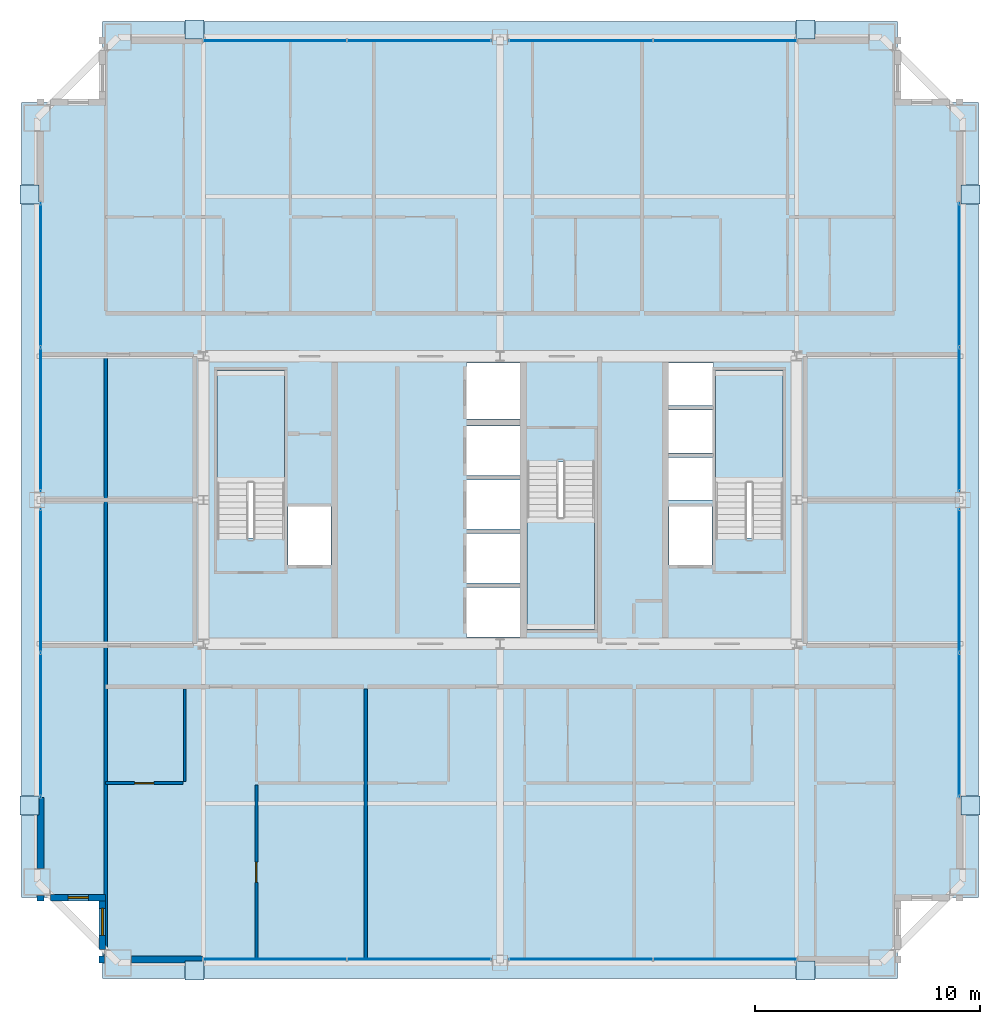
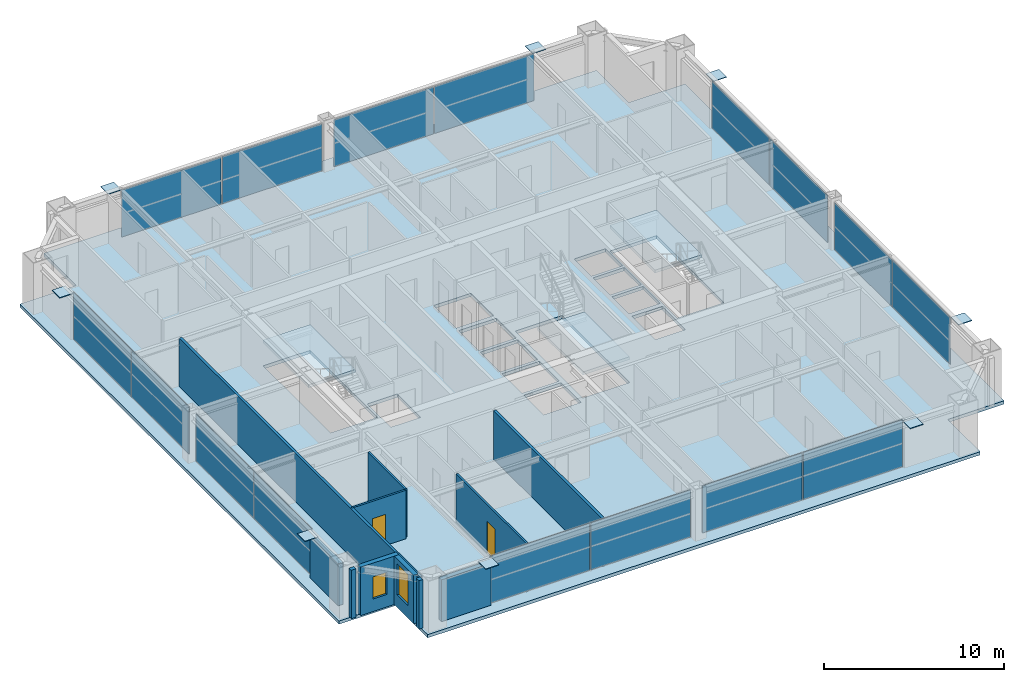
# One storey, part 31 of 37: 24 plates, 11 walls, 4 slabs, 2 doors, 2 windows, 4 openings, 11 elements without a shape of their own.
"""IFC4 building model written with IfcOpenShell, lengths in metres."""

from ifc_helpers import new_model, si_unit, direction, frame, frame_2d, origin, origin_2d, place, context, subcontext, project, spatial, polyline, rectangle, outline, extrude, source, transform, mapped, material, layer, layer_set, type_object, element, fill, aggregate, save


model = new_model("IFC4")

# Units and contexts
model_context = context("Model", 3, precision=1e-05, world=origin(), true_north=direction((0.0, 1.0)))
body_context = subcontext(model_context, "Body", "Model", "MODEL_VIEW")
ifc_project = project(units=[si_unit("LENGTHUNIT", "METRE"), si_unit("AREAUNIT", "SQUARE_METRE"), si_unit("VOLUMEUNIT", "CUBIC_METRE"), si_unit("PLANEANGLEUNIT", "RADIAN"), si_unit("MASSUNIT", "GRAM", prefix="KILO"), si_unit("THERMODYNAMICTEMPERATUREUNIT", "KELVIN"), si_unit("POWERUNIT", "WATT")], contexts=[model_context])

# Site, building, storey
site_placement = place(None, origin())
site = spatial("IfcSite", under=ifc_project, at=site_placement, CompositionType="ELEMENT")
building_placement = place(site_placement, origin())
building = spatial("IfcBuilding", under=site, at=building_placement, Name="Yuzanri Waterfront Tower", CompositionType="ELEMENT")
storey_placement = place(building_placement, frame((0.0, 0.0, 252.10009765625)))
storey = spatial("IfcBuildingStorey", under=building, at=storey_placement, Name="L67", CompositionType="ELEMENT", Elevation=252.10009765625)

# Stair, slab
ifc_material_1 = material(Name="Concrete C40", Category="concrete")
stair_type = type_object("IfcStairType", Name="Concrete C40 Core Dogleg Exit Stair", PredefinedType="HALF_TURN_STAIR", material=ifc_material_1)
stair_1_placement = place(storey_placement, origin())
stair_1 = element("IfcStair", 1, at=stair_1_placement, inside=storey, type_object=stair_type, Name="L67 Smoke-Proof Core Stair ST-01", PredefinedType="HALF_TURN_STAIR")
ifc_material_2 = material(Name="Concrete C40", Category="concrete")
ifc_layer_1 = layer(ifc_material_2, 0.179931640625)
ifc_layer_set_1 = layer_set([ifc_layer_1], Name="Concrete C40")
slab_type_1 = type_object("IfcSlabType", Name="Concrete C40 Stair Half-Landing Slab 180", PredefinedType="LANDING", material=ifc_layer_set_1)
slab_1_placement = place(storey_placement, frame((0.0, 0.0, 1.5498046875)))
slab_1 = element("IfcSlab", 2, at=slab_1_placement, type_object=slab_type_1, Name="ST-01 landing 1", PredefinedType="LANDING", context=body_context, shape_type="SweptSolid", body=[
    extrude(outline(polyline([(27.39990234375, 26.56005859375), (27.39990234375, 31.580078125), (24.39990234375, 31.580078125), (24.39990234375, 26.56005859375), (27.39990234375, 26.56005859375)])), origin(), (0.0, 0.0, 1.0), 0.2001953125),
])
aggregate(stair_1, [slab_1])

stair_2_placement = place(storey_placement, origin())
stair_2 = element("IfcStair", 3, at=stair_2_placement, inside=storey, type_object=stair_type, Name="L67 Smoke-Proof Core Stair ST-02", PredefinedType="HALF_TURN_STAIR")
slab_2_placement = place(storey_placement, frame((0.0, 0.0, 1.5498046875)))
slab_2 = element("IfcSlab", 4, at=slab_2_placement, type_object=slab_type_1, Name="ST-02 landing 1", PredefinedType="LANDING", context=body_context, shape_type="SweptSolid", body=[
    extrude(outline(polyline([(49.60009765625, 26.56005859375), (49.60009765625, 31.580078125), (46.60009765625, 31.580078125), (46.60009765625, 26.56005859375), (49.60009765625, 26.56005859375)])), origin(), (0.0, 0.0, 1.0), 0.2001953125),
])
aggregate(stair_2, [slab_2])

stair_3_placement = place(storey_placement, origin())
stair_3 = element("IfcStair", 5, at=stair_3_placement, inside=storey, type_object=stair_type, Name="L67 Smoke-Proof Core Stair ST-03", PredefinedType="HALF_TURN_STAIR")
slab_3_placement = place(storey_placement, frame((0.0, 0.0, 1.5498046875)))
slab_3 = element("IfcSlab", 6, at=slab_3_placement, type_object=slab_type_1, Name="ST-03 landing 1", PredefinedType="LANDING", context=body_context, shape_type="SweptSolid", body=[
    extrude(outline(polyline([(38.199951171875, 25.0400390625), (38.199951171875, 20.02001953125), (41.199951171875, 20.02001953125), (41.199951171875, 25.0400390625), (38.199951171875, 25.0400390625)])), origin(), (0.0, 0.0, 1.0), 0.2001953125),
])
aggregate(stair_3, [slab_3])

# Slab
ifc_material_3 = material(Name="Concrete C40", Category="concrete")
ifc_layer_2 = layer(ifc_material_3, 0.219970703125)
ifc_layer_set_2 = layer_set([ifc_layer_2], Name="Concrete C40")
slab_type_2 = type_object("IfcSlabType", Name="Concrete C40 Tower Typical Structural Floor Slab 220", PredefinedType="FLOOR", material=ifc_layer_set_2)
slab_4_placement = place(storey_placement, frame((0.0, 0.0, -0.22021484375)))
element("IfcSlab", 7, at=slab_4_placement, inside=storey, type_object=slab_type_2, Name="L67 Main Structural Floor Slab", PredefinedType="FLOOR", context=body_context, shape_type="SweptSolid", body=[
    extrude(outline(polyline([(19.300048828125, 4.5), (54.699951171875, 4.5), (54.699951171875, 8.10009765625), (58.300048828125, 8.10009765625), (58.300048828125, 43.5), (54.699951171875, 43.5), (54.699951171875, 47.10009765625), (19.300048828125, 47.10009765625), (19.300048828125, 43.5), (15.699951171875, 43.5), (15.699951171875, 8.10009765625), (19.300048828125, 8.10009765625), (19.300048828125, 4.5)]), holes=[polyline([(27.39990234375, 24.10009765625), (27.39990234375, 31.580078125), (24.39990234375, 31.580078125), (24.39990234375, 24.10009765625), (27.39990234375, 24.10009765625)]), polyline([(49.60009765625, 24.10009765625), (49.60009765625, 31.580078125), (46.60009765625, 31.580078125), (46.60009765625, 24.10009765625), (49.60009765625, 24.10009765625)]), polyline([(38.199951171875, 27.5), (38.199951171875, 20.02001953125), (41.199951171875, 20.02001953125), (41.199951171875, 27.5), (38.199951171875, 27.5)]), polyline([(27.56005859375, 22.89990234375), (29.47998046875, 22.89990234375), (29.47998046875, 25.5), (27.56005859375, 25.5), (27.56005859375, 22.89990234375)]), polyline([(44.52001953125, 22.89990234375), (46.43994140625, 22.89990234375), (46.43994140625, 25.5), (44.52001953125, 25.5), (44.52001953125, 22.89990234375)]), polyline([(35.5, 19.699951171875), (37.89990234375, 19.699951171875), (37.89990234375, 21.89990234375), (35.5, 21.89990234375), (35.5, 19.699951171875)]), polyline([(35.5, 22.10009765625), (37.89990234375, 22.10009765625), (37.89990234375, 24.300048828125), (35.5, 24.300048828125), (35.5, 22.10009765625)]), polyline([(35.5, 24.5), (37.89990234375, 24.5), (37.89990234375, 26.699951171875), (35.5, 26.699951171875), (35.5, 24.5)]), polyline([(35.5, 26.89990234375), (37.89990234375, 26.89990234375), (37.89990234375, 29.10009765625), (35.5, 29.10009765625), (35.5, 26.89990234375)]), polyline([(35.5, 29.39990234375), (37.89990234375, 29.39990234375), (37.89990234375, 31.89990234375), (35.5, 31.89990234375), (35.5, 29.39990234375)]), polyline([(44.5, 25.800048828125), (46.5, 25.800048828125), (46.5, 27.699951171875), (44.5, 27.699951171875), (44.5, 25.800048828125)]), polyline([(44.5, 27.89990234375), (46.5, 27.89990234375), (46.5, 29.800048828125), (44.5, 29.800048828125), (44.5, 27.89990234375)]), polyline([(44.5, 30.0), (46.5, 30.0), (46.5, 31.89990234375), (44.5, 31.89990234375), (44.5, 30.0)])]), origin(), (0.0, 0.0, 1.0), 0.22021484375),
])

# Plates
ifc_material_4 = material(Name="Steel Q420GJC", Category="steel")
ifc_layer_3 = layer(ifc_material_4, 0.0400390625)
ifc_layer_set_3 = layer_set([ifc_layer_3], Name="Steel Q420GJC")
plate_type_1 = type_object("IfcPlateType", Name="Steel Q420GJC Mega-Brace Gusset and End-Cap Plate 40", PredefinedType="SHEET", material=ifc_layer_set_3)
shared_shape_1 = source(origin(), body_context, "Body", "SweptSolid", [
    extrude(rectangle(XDim=0.85009765625, YDim=0.85009765625, at=origin_2d()), origin(), (0.0, 0.0, 1.0), 0.0400390625),
])
for number, where, z_axis, x_axis, name in (
    (8, (23.39990234375, 4.860107421875, 3.159912109375), (0.0, 0.0, 1.0), (1.0, 0.0, 0.0), "L67 Mega-Brace Apex Cap Plate S-L"),
    (9, (50.60009765625, 4.860107421875, 3.159912109375), (0.0, 0.0, 1.0), (1.0, 0.0, 0.0), "L67 Mega-Brace Apex Cap Plate S-R"),
    (10, (23.39990234375, 46.739990234375, 3.159912109375), (0.0, 0.0, 1.0), (1.0, 0.0, 0.0), "L67 Mega-Brace Apex Cap Plate N-L"),
    (11, (50.60009765625, 46.739990234375, 3.159912109375), (0.0, 0.0, 1.0), (1.0, 0.0, 0.0), "L67 Mega-Brace Apex Cap Plate N-R"),
    (12, (16.06005859375, 12.199951171875, 3.159912109375), (0.0, 0.0, 1.0), (1.0, 0.0, 0.0), "L67 Mega-Brace Apex Cap Plate W-L"),
    (13, (16.06005859375, 39.39990234375, 3.159912109375), (0.0, 0.0, 1.0), (1.0, 0.0, 0.0), "L67 Mega-Brace Apex Cap Plate W-R"),
    (14, (57.93994140625, 12.199951171875, 3.159912109375), (0.0, 0.0, 1.0), (1.0, 0.0, 0.0), "L67 Mega-Brace Apex Cap Plate E-L"),
    (15, (57.93994140625, 39.39990234375, 3.159912109375), (0.0, 0.0, 1.0), (1.0, 0.0, 0.0), "L67 Mega-Brace Apex Cap Plate E-R"),
):
    element("IfcPlate", number, at=place(storey_placement, frame(where, z_axis=z_axis, x_axis=x_axis)), inside=storey, type_object=plate_type_1, Name=name, PredefinedType="SHEET", context=body_context, shape_type="MappedRepresentation", body=[
        mapped(shared_shape_1, transform((0.0, 0.0, 0.0), scale=1.0)),
    ])

# Curtain wall, plates
ifc_material_5 = material(Name="Anodized Architectural Bronze", Category="metal")
ifc_layer_4 = layer(ifc_material_5, 0.159912109375)
ifc_layer_set_4 = layer_set([ifc_layer_4], Name="Anodized Architectural Bronze")
curtain_wall_type = type_object("IfcCurtainWallType", Name="Anodized Bronze Mid-Rise Residential Acoustic Unitized Curtain Wall 7200", PredefinedType="NOTDEFINED", material=ifc_layer_set_4)
curtain_wall_1_placement = place(storey_placement, origin())
curtain_wall_1 = element("IfcCurtainWall", 16, at=curtain_wall_1_placement, inside=storey, type_object=curtain_wall_type, Name="L67 Curtain Wall CW-L67-SL", PredefinedType="NOTDEFINED")
ifc_material_6 = material(Name="Triple Low-E Laminated Insulated Glass", Category="glass")
ifc_layer_5 = layer(ifc_material_6, 0.0439453125)
ifc_layer_set_5 = layer_set([ifc_layer_5], Name="Triple Low-E Laminated Insulated Glass")
plate_type_2 = type_object("IfcPlateType", Name="Triple Glazed Acoustic Vision Glass Panel 44", PredefinedType="CURTAIN_PANEL", material=ifc_layer_set_5)
shared_shape_2 = source(origin(), body_context, "Body", "SweptSolid", [
    extrude(rectangle(XDim=6.3701171875, YDim=0.0439453125, at=origin_2d()), origin(), (0.0, 0.0, 1.0), 3.179931640625),
])
plate_1_placement = place(storey_placement, frame((26.97509765625, 5.35009765625, 0.0498046875), z_axis=(0.0, 0.0, 1.0), x_axis=(1.0, 0.0, 0.0)))
plate_1 = element("IfcPlate", 17, at=plate_1_placement, type_object=plate_type_2, Name="CW-L67-SL Vision Glass Panel 01", PredefinedType="CURTAIN_PANEL", context=body_context, shape_type="MappedRepresentation", body=[
    mapped(shared_shape_2, transform((0.0, 0.0, 0.0), scale=1.0)),
])
plate_2_placement = place(storey_placement, frame((33.425048828125, 5.35009765625, 0.0498046875), z_axis=(0.0, 0.0, 1.0), x_axis=(1.0, 0.0, 0.0)))
plate_2 = element("IfcPlate", 18, at=plate_2_placement, type_object=plate_type_2, Name="CW-L67-SL Vision Glass Panel 02", PredefinedType="CURTAIN_PANEL", context=body_context, shape_type="MappedRepresentation", body=[
    mapped(shared_shape_2, transform((0.0, 0.0, 0.0), scale=1.0)),
])
aggregate(curtain_wall_1, [plate_1, plate_2])

curtain_wall_2_placement = place(storey_placement, origin())
curtain_wall_2 = element("IfcCurtainWall", 19, at=curtain_wall_2_placement, inside=storey, type_object=curtain_wall_type, Name="L67 Curtain Wall CW-L67-SR", PredefinedType="NOTDEFINED")
plate_3_placement = place(storey_placement, frame((40.574951171875, 5.35009765625, 0.0498046875), z_axis=(0.0, 0.0, 1.0), x_axis=(1.0, 0.0, 0.0)))
plate_3 = element("IfcPlate", 20, at=plate_3_placement, type_object=plate_type_2, Name="CW-L67-SR Vision Glass Panel 01", PredefinedType="CURTAIN_PANEL", context=body_context, shape_type="MappedRepresentation", body=[
    mapped(shared_shape_2, transform((0.0, 0.0, 0.0), scale=1.0)),
])
plate_4_placement = place(storey_placement, frame((47.02490234375, 5.35009765625, 0.0498046875), z_axis=(0.0, 0.0, 1.0), x_axis=(1.0, 0.0, 0.0)))
plate_4 = element("IfcPlate", 21, at=plate_4_placement, type_object=plate_type_2, Name="CW-L67-SR Vision Glass Panel 02", PredefinedType="CURTAIN_PANEL", context=body_context, shape_type="MappedRepresentation", body=[
    mapped(shared_shape_2, transform((0.0, 0.0, 0.0), scale=1.0)),
])
aggregate(curtain_wall_2, [plate_3, plate_4])

curtain_wall_3_placement = place(storey_placement, origin())
curtain_wall_3 = element("IfcCurtainWall", 22, at=curtain_wall_3_placement, inside=storey, type_object=curtain_wall_type, Name="L67 Curtain Wall CW-L67-NL", PredefinedType="NOTDEFINED")
plate_5_placement = place(storey_placement, frame((26.97509765625, 46.25, 0.0498046875), z_axis=(0.0, 0.0, 1.0), x_axis=(1.0, 0.0, 0.0)))
plate_5 = element("IfcPlate", 23, at=plate_5_placement, type_object=plate_type_2, Name="CW-L67-NL Vision Glass Panel 01", PredefinedType="CURTAIN_PANEL", context=body_context, shape_type="MappedRepresentation", body=[
    mapped(shared_shape_2, transform((0.0, 0.0, 0.0), scale=1.0)),
])
plate_6_placement = place(storey_placement, frame((33.425048828125, 46.25, 0.0498046875), z_axis=(0.0, 0.0, 1.0), x_axis=(1.0, 0.0, 0.0)))
plate_6 = element("IfcPlate", 24, at=plate_6_placement, type_object=plate_type_2, Name="CW-L67-NL Vision Glass Panel 02", PredefinedType="CURTAIN_PANEL", context=body_context, shape_type="MappedRepresentation", body=[
    mapped(shared_shape_2, transform((0.0, 0.0, 0.0), scale=1.0)),
])
aggregate(curtain_wall_3, [plate_5, plate_6])

curtain_wall_4_placement = place(storey_placement, origin())
curtain_wall_4 = element("IfcCurtainWall", 25, at=curtain_wall_4_placement, inside=storey, type_object=curtain_wall_type, Name="L67 Curtain Wall CW-L67-NR", PredefinedType="NOTDEFINED")
plate_7_placement = place(storey_placement, frame((40.574951171875, 46.25, 0.0498046875), z_axis=(0.0, 0.0, 1.0), x_axis=(1.0, 0.0, 0.0)))
plate_7 = element("IfcPlate", 26, at=plate_7_placement, type_object=plate_type_2, Name="CW-L67-NR Vision Glass Panel 01", PredefinedType="CURTAIN_PANEL", context=body_context, shape_type="MappedRepresentation", body=[
    mapped(shared_shape_2, transform((0.0, 0.0, 0.0), scale=1.0)),
])
plate_8_placement = place(storey_placement, frame((47.02490234375, 46.25, 0.0498046875), z_axis=(0.0, 0.0, 1.0), x_axis=(1.0, 0.0, 0.0)))
plate_8 = element("IfcPlate", 27, at=plate_8_placement, type_object=plate_type_2, Name="CW-L67-NR Vision Glass Panel 02", PredefinedType="CURTAIN_PANEL", context=body_context, shape_type="MappedRepresentation", body=[
    mapped(shared_shape_2, transform((0.0, 0.0, 0.0), scale=1.0)),
])
aggregate(curtain_wall_4, [plate_7, plate_8])

curtain_wall_5_placement = place(storey_placement, origin())
curtain_wall_5 = element("IfcCurtainWall", 28, at=curtain_wall_5_placement, inside=storey, type_object=curtain_wall_type, Name="L67 Curtain Wall CW-L67-WL", PredefinedType="NOTDEFINED")
plate_9_placement = place(storey_placement, frame((16.550048828125, 15.77490234375, 0.0498046875), z_axis=(0.0, 0.0, 1.0), x_axis=(0.0, 1.0, 0.0)))
plate_9 = element("IfcPlate", 29, at=plate_9_placement, type_object=plate_type_2, Name="CW-L67-WL Vision Glass Panel 01", PredefinedType="CURTAIN_PANEL", context=body_context, shape_type="MappedRepresentation", body=[
    mapped(shared_shape_2, transform((0.0, 0.0, 0.0), scale=1.0)),
])
plate_10_placement = place(storey_placement, frame((16.550048828125, 22.22509765625, 0.0498046875), z_axis=(0.0, 0.0, 1.0), x_axis=(0.0, 1.0, 0.0)))
plate_10 = element("IfcPlate", 30, at=plate_10_placement, type_object=plate_type_2, Name="CW-L67-WL Vision Glass Panel 02", PredefinedType="CURTAIN_PANEL", context=body_context, shape_type="MappedRepresentation", body=[
    mapped(shared_shape_2, transform((0.0, 0.0, 0.0), scale=1.0)),
])
aggregate(curtain_wall_5, [plate_9, plate_10])

curtain_wall_6_placement = place(storey_placement, origin())
curtain_wall_6 = element("IfcCurtainWall", 31, at=curtain_wall_6_placement, inside=storey, type_object=curtain_wall_type, Name="L67 Curtain Wall CW-L67-WR", PredefinedType="NOTDEFINED")
plate_11_placement = place(storey_placement, frame((16.550048828125, 29.375, 0.0498046875), z_axis=(0.0, 0.0, 1.0), x_axis=(0.0, 1.0, 0.0)))
plate_11 = element("IfcPlate", 32, at=plate_11_placement, type_object=plate_type_2, Name="CW-L67-WR Vision Glass Panel 01", PredefinedType="CURTAIN_PANEL", context=body_context, shape_type="MappedRepresentation", body=[
    mapped(shared_shape_2, transform((0.0, 0.0, 0.0), scale=1.0)),
])
plate_12_placement = place(storey_placement, frame((16.550048828125, 35.824951171875, 0.0498046875), z_axis=(0.0, 0.0, 1.0), x_axis=(0.0, 1.0, 0.0)))
plate_12 = element("IfcPlate", 33, at=plate_12_placement, type_object=plate_type_2, Name="CW-L67-WR Vision Glass Panel 02", PredefinedType="CURTAIN_PANEL", context=body_context, shape_type="MappedRepresentation", body=[
    mapped(shared_shape_2, transform((0.0, 0.0, 0.0), scale=1.0)),
])
aggregate(curtain_wall_6, [plate_11, plate_12])

curtain_wall_7_placement = place(storey_placement, origin())
curtain_wall_7 = element("IfcCurtainWall", 34, at=curtain_wall_7_placement, inside=storey, type_object=curtain_wall_type, Name="L67 Curtain Wall CW-L67-EL", PredefinedType="NOTDEFINED")
plate_13_placement = place(storey_placement, frame((57.449951171875, 15.77490234375, 0.0498046875), z_axis=(0.0, 0.0, 1.0), x_axis=(0.0, 1.0, 0.0)))
plate_13 = element("IfcPlate", 35, at=plate_13_placement, type_object=plate_type_2, Name="CW-L67-EL Vision Glass Panel 01", PredefinedType="CURTAIN_PANEL", context=body_context, shape_type="MappedRepresentation", body=[
    mapped(shared_shape_2, transform((0.0, 0.0, 0.0), scale=1.0)),
])
plate_14_placement = place(storey_placement, frame((57.449951171875, 22.22509765625, 0.0498046875), z_axis=(0.0, 0.0, 1.0), x_axis=(0.0, 1.0, 0.0)))
plate_14 = element("IfcPlate", 36, at=plate_14_placement, type_object=plate_type_2, Name="CW-L67-EL Vision Glass Panel 02", PredefinedType="CURTAIN_PANEL", context=body_context, shape_type="MappedRepresentation", body=[
    mapped(shared_shape_2, transform((0.0, 0.0, 0.0), scale=1.0)),
])
aggregate(curtain_wall_7, [plate_13, plate_14])

curtain_wall_8_placement = place(storey_placement, origin())
curtain_wall_8 = element("IfcCurtainWall", 37, at=curtain_wall_8_placement, inside=storey, type_object=curtain_wall_type, Name="L67 Curtain Wall CW-L67-ER", PredefinedType="NOTDEFINED")
plate_15_placement = place(storey_placement, frame((57.449951171875, 29.375, 0.0498046875), z_axis=(0.0, 0.0, 1.0), x_axis=(0.0, 1.0, 0.0)))
plate_15 = element("IfcPlate", 38, at=plate_15_placement, type_object=plate_type_2, Name="CW-L67-ER Vision Glass Panel 01", PredefinedType="CURTAIN_PANEL", context=body_context, shape_type="MappedRepresentation", body=[
    mapped(shared_shape_2, transform((0.0, 0.0, 0.0), scale=1.0)),
])
plate_16_placement = place(storey_placement, frame((57.449951171875, 35.824951171875, 0.0498046875), z_axis=(0.0, 0.0, 1.0), x_axis=(0.0, 1.0, 0.0)))
plate_16 = element("IfcPlate", 39, at=plate_16_placement, type_object=plate_type_2, Name="CW-L67-ER Vision Glass Panel 02", PredefinedType="CURTAIN_PANEL", context=body_context, shape_type="MappedRepresentation", body=[
    mapped(shared_shape_2, transform((0.0, 0.0, 0.0), scale=1.0)),
])
aggregate(curtain_wall_8, [plate_15, plate_16])

# Wall, opening, door
ifc_material_7 = material(Name="Moisture-Resistant Gypsum Stud Wall", Category="gypsum")
ifc_layer_6 = layer(ifc_material_7, 0.1201171875)
ifc_layer_set_6 = layer_set([ifc_layer_6], Name="Moisture-Resistant Gypsum Stud Wall")
wall_type_1 = type_object("IfcWallType", Name="Bathroom and Kitchen Wet Partition 120", PredefinedType="PARTITIONING", material=ifc_layer_set_6)
wall_1_placement = place(storey_placement, frame((19.43994140625, 13.199951171875, 0.0), z_axis=(0.0, 0.0, 1.0), x_axis=(1.0, 0.0, 0.0)))
wall_1 = element("IfcWall", 40, at=wall_1_placement, inside=storey, type_object=wall_type_1, Name="L67 Partition UW-L67-RS1-SUB-1-S", PredefinedType="PARTITIONING", context=body_context, shape_type="SweptSolid", body=[
    extrude(rectangle(XDim=3.453125, YDim=0.1201171875, at=frame_2d((1.7265625, 0.0))), origin(), (0.0, 0.0, 1.0), 3.27978515625),
])
opening_1_placement = place(wall_1_placement, frame((1.301513671875, 0.0, 0.0)))
opening_1 = element("IfcOpeningElement", 41, at=opening_1_placement, cuts=wall_1, Name="Opening ID-0850", PredefinedType="OPENING", context=body_context, shape_type="SweptSolid", body=[
    extrude(rectangle(XDim=0.85009765625, YDim=2.10009765625, at=frame_2d((0.425048828125, 1.050048828125))), frame((0.0, 0.074951171875, 0.0), z_axis=(0.0, -1.0, 0.0), x_axis=(1.0, 0.0, 0.0)), (0.0, 0.0, 1.0), 0.14990234375),
])
ifc_material_8 = material(Name="Moisture-Resistant Lacquered Timber", Category="wood")
door_type_1 = type_object("IfcDoorType", Name="En-Suite Bathroom and Kitchen Swing Door 850x2100", OperationType="NOTDEFINED", PredefinedType="DOOR", material=ifc_material_8)
shared_shape_3 = source(origin(), body_context, "Body", "SweptSolid", [
    extrude(rectangle(XDim=0.85009765625, YDim=2.10009765625, at=frame_2d((0.425048828125, 1.050048828125))), frame((0.0, 0.02490234375, 0.0), z_axis=(0.0, -1.0, 0.0), x_axis=(1.0, 0.0, 0.0)), (0.0, 0.0, 1.0), 0.050048828125),
])
door_1_placement = place(opening_1_placement, origin())
door_1 = element("IfcDoor", 42, at=door_1_placement, inside=storey, type_object=door_type_1, Name="L67 Suite Interior Room Door", OperationType="SINGLE_SWING_RIGHT", OverallHeight=2.10009765625, OverallWidth=0.85009765625, PredefinedType="DOOR", context=body_context, shape_type="MappedRepresentation", body=[
    mapped(shared_shape_3, transform((0.0, 0.0, 0.0), scale=1.0)),
])
fill(opening_1, door_1)

wall_2_placement = place(storey_placement, frame((26.157958984375, 5.35009765625, 0.0), z_axis=(0.0, 0.0, 1.0), x_axis=(0.0, 1.0, 0.0)))
wall_2 = element("IfcWall", 43, at=wall_2_placement, inside=storey, type_object=wall_type_1, Name="L67 Partition UW-L67-RS1-SUB-3-W", PredefinedType="PARTITIONING", context=body_context, shape_type="SweptSolid", body=[
    extrude(rectangle(XDim=7.77001953125, YDim=0.1201171875, at=frame_2d((3.885009765625, 0.0))), origin(), (0.0, 0.0, 1.0), 3.27978515625),
])
opening_2_placement = place(wall_2_placement, frame((3.43505859375, 0.0, 0.0)))
opening_2 = element("IfcOpeningElement", 44, at=opening_2_placement, cuts=wall_2, Name="Opening ID-0900", PredefinedType="OPENING", context=body_context, shape_type="SweptSolid", body=[
    extrude(rectangle(XDim=0.89990234375, YDim=2.14990234375, at=frame_2d((0.449951171875, 1.074951171875))), frame((0.0, 0.074951171875, 0.0), z_axis=(0.0, -1.0, 0.0), x_axis=(1.0, 0.0, 0.0)), (0.0, 0.0, 1.0), 0.14990234375),
])
ifc_material_9 = material(Name="Stained Walnut Veneer Timber", Category="wood")
door_type_2 = type_object("IfcDoorType", Name="Bedroom and Study Interior Swing Door 900x2150", OperationType="NOTDEFINED", PredefinedType="DOOR", material=ifc_material_9)
shared_shape_4 = source(origin(), body_context, "Body", "SweptSolid", [
    extrude(rectangle(XDim=0.89990234375, YDim=2.14990234375, at=frame_2d((0.449951171875, 1.074951171875))), frame((0.0, 0.02490234375, 0.0), z_axis=(0.0, -1.0, 0.0), x_axis=(1.0, 0.0, 0.0)), (0.0, 0.0, 1.0), 0.050048828125),
])
door_2_placement = place(opening_2_placement, origin())
door_2 = element("IfcDoor", 45, at=door_2_placement, inside=storey, type_object=door_type_2, Name="L67 Suite Interior Room Door", OperationType="SINGLE_SWING_RIGHT", OverallHeight=2.14990234375, OverallWidth=0.89990234375, PredefinedType="DOOR", context=body_context, shape_type="MappedRepresentation", body=[
    mapped(shared_shape_4, transform((0.0, 0.0, 0.0), scale=1.0)),
])
fill(opening_2, door_2)

# Wall, opening, window
ifc_material_10 = material(Name="Honed Chongqing Dark Basalt Stone", Category="masonry")
ifc_layer_7 = layer(ifc_material_10, 0.300048828125)
ifc_layer_set_7 = layer_set([ifc_layer_7], Name="Honed Chongqing Dark Basalt Stone")
wall_type_2 = type_object("IfcWallType", Name="Bronze Rainscreen Insulated Spandrel Portal Wall 300", PredefinedType="SOLIDWALL", material=ifc_layer_set_7)
wall_3_placement = place(storey_placement, frame((17.0, 8.10009765625, 0.0), z_axis=(0.0, 0.0, 1.0), x_axis=(1.0, 0.0, 0.0)))
wall_3 = element("IfcWall", 46, at=wall_3_placement, inside=storey, type_object=wall_type_2, Name="L67 Notched Corner Masonry Wall SW-X", PredefinedType="SOLIDWALL", context=body_context, shape_type="SweptSolid", body=[
    extrude(rectangle(XDim=2.449951171875, YDim=0.300048828125, at=frame_2d((1.22509765625, 0.0))), origin(), (0.0, 0.0, 1.0), 3.27978515625),
])
opening_3_placement = place(wall_3_placement, frame((0.77490234375, 0.0, 0.85009765625)))
opening_3 = element("IfcOpeningElement", 47, at=opening_3_placement, cuts=wall_3, Name="Opening WN-05", PredefinedType="OPENING", context=body_context, shape_type="SweptSolid", body=[
    extrude(rectangle(XDim=0.89990234375, YDim=1.5, at=frame_2d((0.449951171875, 0.75))), frame((0.0, 0.1650390625, 0.0), z_axis=(0.0, -1.0, 0.0), x_axis=(1.0, 0.0, 0.0)), (0.0, 0.0, 1.0), 0.329833984375),
])
ifc_material_11 = material(Name="Double-Silver Low-E Insulated Glass", Category="glass")
window_type_1 = type_object("IfcWindowType", Name="Anodized Bronze Service and Stairwell Smoke-Vent Window 900x1500", PartitioningType="SINGLE_PANEL", PredefinedType="WINDOW", material=ifc_material_11)
shared_shape_5 = source(origin(), body_context, "Body", "SweptSolid", [
    extrude(rectangle(XDim=0.89990234375, YDim=1.5, at=frame_2d((0.449951171875, 0.75))), frame((0.0, 0.030029296875, 0.0), z_axis=(0.0, -1.0, 0.0), x_axis=(1.0, 0.0, 0.0)), (0.0, 0.0, 1.0), 0.06005859375),
])
window_1_placement = place(opening_3_placement, origin())
window_1 = element("IfcWindow", 48, at=window_1_placement, inside=storey, type_object=window_type_1, Name="L67 Notched Corner Window SW-X", OverallHeight=1.5, OverallWidth=0.89990234375, PartitioningType="SINGLE_PANEL", PredefinedType="WINDOW", context=body_context, shape_type="MappedRepresentation", body=[
    mapped(shared_shape_5, transform((0.0, 0.0, 0.0), scale=1.0)),
])
fill(opening_3, window_1)

wall_4_placement = place(storey_placement, frame((19.300048828125, 8.25, 0.0), z_axis=(0.0, 0.0, 1.0), x_axis=(0.0, -1.0, 0.0)))
wall_4 = element("IfcWall", 49, at=wall_4_placement, inside=storey, type_object=wall_type_2, Name="L67 Notched Corner Masonry Wall SW-Y", PredefinedType="SOLIDWALL", context=body_context, shape_type="SweptSolid", body=[
    extrude(rectangle(XDim=2.449951171875, YDim=0.300048828125, at=frame_2d((1.22509765625, 0.0))), origin(), (0.0, 0.0, 1.0), 3.27978515625),
])
opening_4_placement = place(wall_4_placement, frame((0.625, 0.0, 0.85009765625)))
opening_4 = element("IfcOpeningElement", 50, at=opening_4_placement, cuts=wall_4, Name="Opening WN-02", PredefinedType="OPENING", context=body_context, shape_type="SweptSolid", body=[
    extrude(rectangle(XDim=1.199951171875, YDim=2.10009765625, at=frame_2d((0.60009765625, 1.050048828125))), frame((0.0, 0.1650390625, 0.0), z_axis=(0.0, -1.0, 0.0), x_axis=(1.0, 0.0, 0.0)), (0.0, 0.0, 1.0), 0.329833984375),
])
ifc_material_12 = material(Name="Double-Silver Low-E Insulated Glass", Category="glass")
window_type_2 = type_object("IfcWindowType", Name="Anodized Bronze Notched Corner Deep-Set Slot Window 1200x2100", PartitioningType="SINGLE_PANEL", PredefinedType="WINDOW", material=ifc_material_12)
shared_shape_6 = source(origin(), body_context, "Body", "SweptSolid", [
    extrude(rectangle(XDim=1.199951171875, YDim=2.10009765625, at=frame_2d((0.60009765625, 1.050048828125))), frame((0.0, 0.030029296875, 0.0), z_axis=(0.0, -1.0, 0.0), x_axis=(1.0, 0.0, 0.0)), (0.0, 0.0, 1.0), 0.06005859375),
])
window_2_placement = place(opening_4_placement, origin())
window_2 = element("IfcWindow", 51, at=window_2_placement, inside=storey, type_object=window_type_2, Name="L67 Notched Corner Window SW-Y", OverallHeight=2.10009765625, OverallWidth=1.199951171875, PartitioningType="SINGLE_PANEL", PredefinedType="WINDOW", context=body_context, shape_type="MappedRepresentation", body=[
    mapped(shared_shape_6, transform((0.0, 0.0, 0.0), scale=1.0)),
])
fill(opening_4, window_2)

# Walls
shared_shape_7 = source(origin(), body_context, "Body", "SweptSolid", [
    extrude(rectangle(XDim=0.25, YDim=0.300048828125, at=frame_2d((0.125, 0.0))), origin(), (0.0, 0.0, 1.0), 3.27978515625),
])
for number, where, z_axis, x_axis, name in (
    (52, (19.14990234375, 5.35009765625, 0.0), (0.0, 0.0, 1.0), (1.0, 0.0, 0.0), "L67 Corner Column Shoulder Return CSW"),
    (53, (16.550048828125, 7.949951171875, 0.0), (0.0, 0.0, 1.0), (0.0, 1.0, 0.0), "L67 Corner Column Shoulder Return CWS"),
):
    element("IfcWall", number, at=place(storey_placement, frame(where, z_axis=z_axis, x_axis=x_axis)), inside=storey, type_object=wall_type_2, Name=name, PredefinedType="SOLIDWALL", context=body_context, shape_type="MappedRepresentation", body=[
        mapped(shared_shape_7, transform((0.0, 0.0, 0.0), scale=1.0)),
    ])
shared_shape_8 = source(origin(), body_context, "Body", "SweptSolid", [
    extrude(rectangle(XDim=3.14990234375, YDim=0.300048828125, at=frame_2d((1.574951171875, 0.0))), origin(), (0.0, 0.0, 1.0), 2.8349609375),
])
wall_5_placement = place(storey_placement, frame((20.60009765625, 5.35009765625, 0.0), z_axis=(0.0, 0.0, 1.0), x_axis=(1.0, 0.0, 0.0)))
element("IfcWall", 54, at=wall_5_placement, inside=storey, type_object=wall_type_2, Name="L67 S Left Braced Masonry Shoulder", PredefinedType="SOLIDWALL", context=body_context, shape_type="MappedRepresentation", body=[
    mapped(shared_shape_8, transform((0.0, 0.0, 0.0), scale=1.0)),
])
shared_shape_9 = source(origin(), body_context, "Body", "SweptSolid", [
    extrude(rectangle(XDim=3.150146484375, YDim=0.300048828125, at=frame_2d((1.5751953125, 0.0))), origin(), (0.0, 0.0, 1.0), 2.8349609375),
])
wall_6_placement = place(storey_placement, frame((16.550048828125, 9.39990234375, 0.0), z_axis=(0.0, 0.0, 1.0), x_axis=(0.0, 1.0, 0.0)))
element("IfcWall", 55, at=wall_6_placement, inside=storey, type_object=wall_type_2, Name="L67 W Left Braced Masonry Shoulder", PredefinedType="SOLIDWALL", context=body_context, shape_type="MappedRepresentation", body=[
    mapped(shared_shape_9, transform((0.0, 0.0, 0.0), scale=1.0)),
])
ifc_material_13 = material(Name="Gypsum Fireboard Acoustic Stud Wall", Category="gypsum")
ifc_layer_8 = layer(ifc_material_13, 0.159912109375)
ifc_layer_set_8 = layer_set([ifc_layer_8], Name="Gypsum Fireboard Acoustic Stud Wall")
wall_type_3 = type_object("IfcWallType", Name="Acoustic Suite Demising Partition 160", PredefinedType="PARTITIONING", material=ifc_layer_set_8)
shared_shape_10 = source(origin(), body_context, "Body", "SweptSolid", [
    extrude(rectangle(XDim=12.039794921875, YDim=0.159912109375, at=frame_2d((6.02001953125, 0.0))), origin(), (0.0, 0.0, 1.0), 3.27978515625),
])
wall_7_placement = place(storey_placement, frame((31.030029296875, 5.35009765625, 0.0), z_axis=(0.0, 0.0, 1.0), x_axis=(0.0, 1.0, 0.0)))
element("IfcWall", 56, at=wall_7_placement, inside=storey, type_object=wall_type_3, Name="L67-RS1 Party Wall", PredefinedType="PARTITIONING", context=body_context, shape_type="MappedRepresentation", body=[
    mapped(shared_shape_10, transform((0.0, 0.0, 0.0), scale=1.0)),
])
shared_shape_11 = source(origin(), body_context, "Body", "SweptSolid", [
    extrude(rectangle(XDim=4.10986328125, YDim=0.1201171875, at=frame_2d((2.054931640625, 0.0))), origin(), (0.0, 0.0, 1.0), 3.27978515625),
])
wall_8_placement = place(storey_placement, frame((22.972900390625, 13.280029296875, 0.0), z_axis=(0.0, 0.0, 1.0), x_axis=(0.0, 1.0, 0.0)))
element("IfcWall", 57, at=wall_8_placement, inside=storey, type_object=wall_type_1, Name="L67 Partition UW-L67-RS1-SUB-1-E", PredefinedType="PARTITIONING", context=body_context, shape_type="MappedRepresentation", body=[
    mapped(shared_shape_11, transform((0.0, 0.0, 0.0), scale=1.0)),
])
shared_shape_12 = source(origin(), body_context, "Body", "SweptSolid", [
    extrude(rectangle(XDim=26.68994140625, YDim=0.159912109375, at=frame_2d((13.344970703125, 0.0))), origin(), (0.0, 0.0, 1.0), 3.27978515625),
])
wall_9_placement = place(storey_placement, frame((19.449951171875, 5.5, 0.0), z_axis=(0.0, 0.0, 1.0), x_axis=(0.0, 1.0, 0.0)))
element("IfcWall", 58, at=wall_9_placement, inside=storey, type_object=wall_type_3, Name="L67 South Band West End Wall", PredefinedType="PARTITIONING", context=body_context, shape_type="MappedRepresentation", body=[
    mapped(shared_shape_12, transform((0.0, 0.0, 0.0), scale=1.0)),
])

save(model, "model.ifc")
